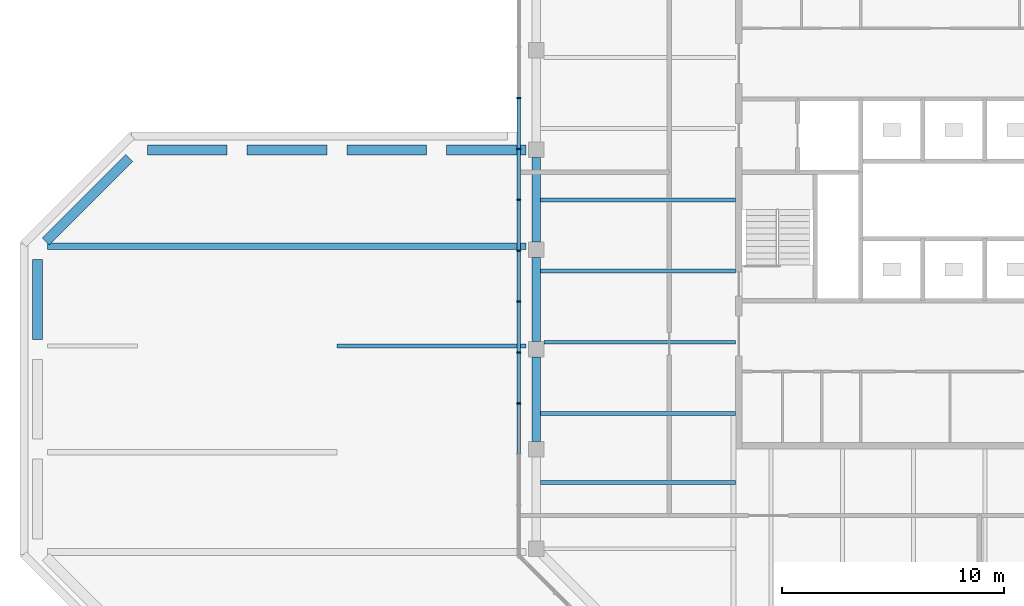
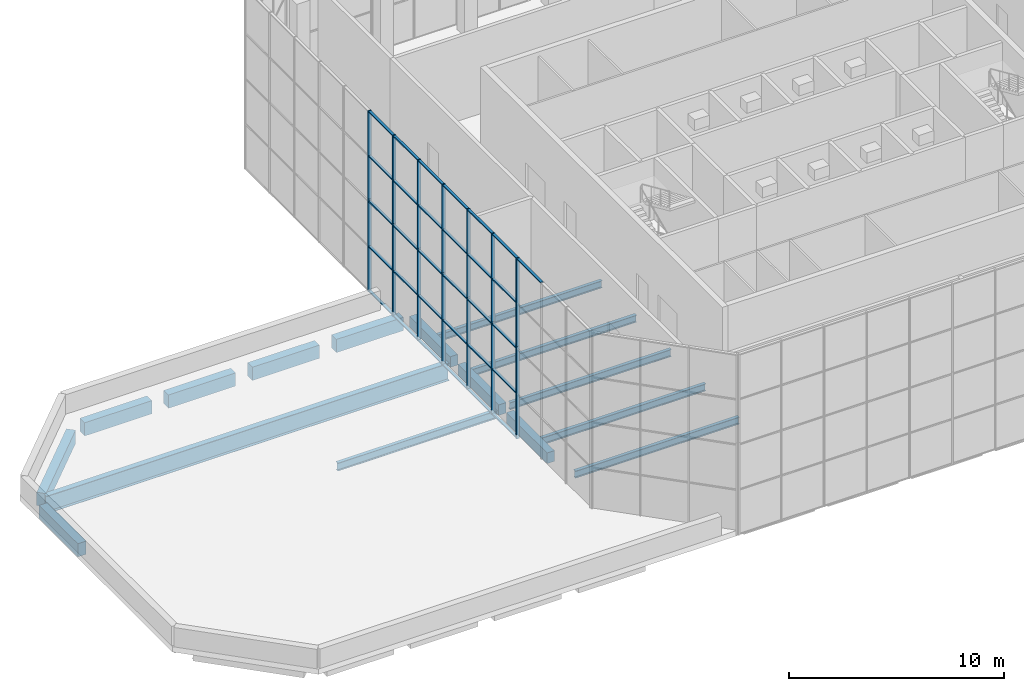
# One storey, part 3 of 19: 45 members, 16 beams, 1 element without a shape of its own.
"""IFC4 building model written with IfcOpenShell, lengths in metres."""

from ifc_helpers import new_model, si_unit, direction, frame, origin, origin_2d, place, context, subcontext, project, spatial, rectangle, i_section, extrude, material, constituent, constituent_set, material_profile, profile_set, type_object, element, aggregate, save


model = new_model("IFC4")

# Units and contexts
model_context = context("Model", 3, precision=1e-05, world=origin(), true_north=direction((0.0, 1.0)))
body_context = subcontext(model_context, "Body", "Model", "MODEL_VIEW")
ifc_project = project(units=[si_unit("LENGTHUNIT", "METRE"), si_unit("AREAUNIT", "SQUARE_METRE"), si_unit("VOLUMEUNIT", "CUBIC_METRE"), si_unit("PLANEANGLEUNIT", "RADIAN"), si_unit("MASSUNIT", "GRAM", prefix="KILO")], contexts=[model_context])

# Site, building, storey
site_placement = place(None, origin())
site = spatial("IfcSite", under=ifc_project, at=site_placement, CompositionType="ELEMENT")
building_placement = place(site_placement, origin())
building = spatial("IfcBuilding", under=site, at=building_placement, Name="Quoin Convention Tower", CompositionType="ELEMENT")
storey_placement = place(building_placement, frame((0.0, 0.0, 263.699951171875)))
storey = spatial("IfcBuildingStorey", under=building, at=storey_placement, Name="L69", CompositionType="ELEMENT", Elevation=263.699951171875)

# Beams
ifc_material_1 = material(Name="Steel Grade 300", Category="steel")
ifc_material_profile_1 = material_profile(ifc_material_1, i_section(OverallWidth=0.300048828125, OverallDepth=1.0, WebThickness=0.01611328125, FlangeThickness=0.02001953125, at=origin_2d()), Name="1000WB215")
ifc_profile_set_1 = profile_set([ifc_material_profile_1], Name="Steel Grade 300")
beam_type_1 = type_object("IfcBeamType", Name="1000WB215", PredefinedType="BEAM", material=ifc_profile_set_1)
beam_1_placement = place(storey_placement, frame((13.949951171875, 58.64990234375, -0.800048828125), z_axis=(1.0, 0.0, 0.0), x_axis=(0.0, 1.0, 0.0)))
element("IfcBeam", 1, at=beam_1_placement, inside=storey, type_object=beam_type_1, Name="gir-L69-RT2-4-0", PredefinedType="BEAM", context=body_context, shape_type="SweptSolid", body=[
    extrude(i_section(OverallWidth=0.300048828125, OverallDepth=1.0, WebThickness=0.01611328125, FlangeThickness=0.02001953125, at=origin_2d()), origin(), (0.0, 0.0, 1.0), 21.60009765625),
])
ifc_material_profile_2 = material_profile(ifc_material_1, i_section(OverallWidth=0.177978515625, OverallDepth=0.403076171875, WebThickness=0.007568359375, FlangeThickness=0.010986328125, FilletRadius=0.011474609375, at=origin_2d()), Name="410UB53.7")
ifc_profile_set_2 = profile_set([ifc_material_profile_2], Name="Steel Grade 300")
beam_type_2 = type_object("IfcBeamType", Name="410UB53.7", PredefinedType="BEAM", material=ifc_profile_set_2)
beam_2_placement = place(storey_placement, frame((36.199951171875, 51.107177734375, -0.451416015625), z_axis=(1.0, 0.0, 0.0), x_axis=(0.0, 1.0, 0.0)))
element("IfcBeam", 2, at=beam_2_placement, inside=storey, type_object=beam_type_2, Name="bm-L69-T1W0", PredefinedType="BEAM", context=body_context, shape_type="SweptSolid", body=[
    extrude(i_section(OverallWidth=0.177978515625, OverallDepth=0.403076171875, WebThickness=0.007568359375, FlangeThickness=0.010986328125, FilletRadius=0.011474609375, at=origin_2d()), origin(), (0.0, 0.0, 1.0), 8.800048828125),
])
beam_3_placement = place(storey_placement, frame((36.35009765625, 54.3212890625, -0.451416015625), z_axis=(1.0, 0.0, 0.0), x_axis=(0.0, 1.0, 0.0)))
element("IfcBeam", 3, at=beam_3_placement, inside=storey, type_object=beam_type_2, Name="bm-L69-T1W1", PredefinedType="BEAM", context=body_context, shape_type="SweptSolid", body=[
    extrude(i_section(OverallWidth=0.177978515625, OverallDepth=0.403076171875, WebThickness=0.007568359375, FlangeThickness=0.010986328125, FilletRadius=0.011474609375, at=origin_2d()), origin(), (0.0, 0.0, 1.0), 8.64990234375),
])
for number, where, z_axis, x_axis, name in (
    (4, (36.199951171875, 57.53564453125, -0.451416015625), (1.0, 0.0, 0.0), (0.0, 1.0, 0.0), "bm-L69-T1W2"),
    (5, (36.199951171875, 60.75, -0.451416015625), (1.0, 0.0, 0.0), (0.0, 1.0, 0.0), "bm-L69-T1W3"),
    (6, (36.199951171875, 48.0, -0.451416015625), (1.0, 0.0, 0.0), (0.0, 1.0, 0.0), "bm-L69-T1SW2"),
):
    element("IfcBeam", number, at=place(storey_placement, frame(where, z_axis=z_axis, x_axis=x_axis)), inside=storey, type_object=beam_type_2, Name=name, PredefinedType="BEAM", context=body_context, shape_type="SweptSolid", body=[
        extrude(i_section(OverallWidth=0.177978515625, OverallDepth=0.403076171875, WebThickness=0.007568359375, FlangeThickness=0.010986328125, FilletRadius=0.011474609375, at=origin_2d()), origin(), (0.0, 0.0, 1.0), 8.800048828125),
    ])
ifc_material_profile_3 = material_profile(ifc_material_1, i_section(OverallWidth=0.18994140625, OverallDepth=0.4541015625, WebThickness=0.008544921875, FlangeThickness=0.0126953125, FilletRadius=0.011474609375, at=origin_2d()), Name="460UB67.1")
ifc_profile_set_3 = profile_set([ifc_material_profile_3], Name="Steel Grade 300")
beam_type_3 = type_object("IfcBeamType", Name="460UB67.1", PredefinedType="BEAM", material=ifc_profile_set_3)
beam_4_placement = place(storey_placement, frame((27.0, 54.14990234375, -0.52685546875), z_axis=(1.0, 0.0, 0.0), x_axis=(0.0, 1.0, 0.0)))
element("IfcBeam", 7, at=beam_4_placement, inside=storey, type_object=beam_type_3, Name="gir-L69-RT2-3-1", PredefinedType="BEAM", context=body_context, shape_type="SweptSolid", body=[
    extrude(i_section(OverallWidth=0.18994140625, OverallDepth=0.4541015625, WebThickness=0.008544921875, FlangeThickness=0.0126953125, FilletRadius=0.011474609375, at=origin_2d()), origin(), (0.0, 0.0, 1.0), 8.550048828125),
])

# Curtain wall, members
ifc_material_2 = material(Name="Aluminium", Category="aluminium")
ifc_constituent_1 = constituent(ifc_material_2, Name="Frame")
ifc_material_3 = material(Name="Insulated glass", Category="glass")
ifc_constituent_2 = constituent(ifc_material_3, Name="Glazing")
ifc_constituent_set = constituent_set(constituents=[ifc_constituent_1, ifc_constituent_2], Name="Aluminium")
curtain_wall_type = type_object("IfcCurtainWallType", Name="Lantern wall system", PredefinedType="NOTDEFINED", material=ifc_constituent_set)
curtain_wall_placement = place(storey_placement, origin())
curtain_wall = element("IfcCurtainWall", 8, at=curtain_wall_placement, inside=storey, type_object=curtain_wall_type, Name="crn-LNW-36000_76500", PredefinedType="NOTDEFINED")
ifc_material_profile_4 = material_profile(ifc_material_2, rectangle(XDim=0.179931640625, YDim=0.06005859375, at=origin_2d()), Name="Lantern wall mullion 60x180")
ifc_profile_set_4 = profile_set([ifc_material_profile_4], Name="Aluminium")
member_type_1 = type_object("IfcMemberType", Name="Lantern wall mullion 60x180", PredefinedType="MULLION", material=ifc_profile_set_4)
member_1_placement = place(storey_placement, frame((35.2099609375, 65.343505859375, -0.25), z_axis=(0.0, 0.0, 1.0), x_axis=(1.0, 0.0, 0.0)))
member_1 = element("IfcMember", 9, at=member_1_placement, type_object=member_type_1, Name="CW5 mullion 6", PredefinedType="MULLION", context=body_context, shape_type="SweptSolid", body=[
    extrude(rectangle(XDim=0.179931640625, YDim=0.06005859375, at=origin_2d()), origin(), (0.0, 0.0, 1.0), 5.25),
])
member_2_placement = place(storey_placement, frame((35.2099609375, 63.046630859375, -0.25), z_axis=(0.0, 0.0, 1.0), x_axis=(1.0, 0.0, 0.0)))
member_2 = element("IfcMember", 10, at=member_2_placement, type_object=member_type_1, Name="CW5 mullion 7", PredefinedType="MULLION", context=body_context, shape_type="SweptSolid", body=[
    extrude(rectangle(XDim=0.179931640625, YDim=0.06005859375, at=origin_2d()), origin(), (0.0, 0.0, 1.0), 5.25),
])
member_3_placement = place(storey_placement, frame((35.2099609375, 60.75, -0.25), z_axis=(0.0, 0.0, 1.0), x_axis=(1.0, 0.0, 0.0)))
member_3 = element("IfcMember", 11, at=member_3_placement, type_object=member_type_1, Name="CW5 mullion 8", PredefinedType="MULLION", context=body_context, shape_type="SweptSolid", body=[
    extrude(rectangle(XDim=0.179931640625, YDim=0.06005859375, at=origin_2d()), origin(), (0.0, 0.0, 1.0), 5.25),
])
member_4_placement = place(storey_placement, frame((35.2099609375, 58.453369140625, -0.25), z_axis=(0.0, 0.0, 1.0), x_axis=(1.0, 0.0, 0.0)))
member_4 = element("IfcMember", 12, at=member_4_placement, type_object=member_type_1, Name="CW5 mullion 9", PredefinedType="MULLION", context=body_context, shape_type="SweptSolid", body=[
    extrude(rectangle(XDim=0.179931640625, YDim=0.06005859375, at=origin_2d()), origin(), (0.0, 0.0, 1.0), 5.25),
])
member_5_placement = place(storey_placement, frame((35.2099609375, 56.156494140625, -0.25), z_axis=(0.0, 0.0, 1.0), x_axis=(1.0, 0.0, 0.0)))
member_5 = element("IfcMember", 13, at=member_5_placement, type_object=member_type_1, Name="CW5 mullion 10", PredefinedType="MULLION", context=body_context, shape_type="SweptSolid", body=[
    extrude(rectangle(XDim=0.179931640625, YDim=0.06005859375, at=origin_2d()), origin(), (0.0, 0.0, 1.0), 5.25),
])
member_6_placement = place(storey_placement, frame((35.2099609375, 53.85986328125, -0.25), z_axis=(0.0, 0.0, 1.0), x_axis=(1.0, 0.0, 0.0)))
member_6 = element("IfcMember", 14, at=member_6_placement, type_object=member_type_1, Name="CW5 mullion 11", PredefinedType="MULLION", context=body_context, shape_type="SweptSolid", body=[
    extrude(rectangle(XDim=0.179931640625, YDim=0.06005859375, at=origin_2d()), origin(), (0.0, 0.0, 1.0), 5.25),
])
member_7_placement = place(storey_placement, frame((35.2099609375, 51.56298828125, -0.25), z_axis=(0.0, 0.0, 1.0), x_axis=(1.0, 0.0, 0.0)))
member_7 = element("IfcMember", 15, at=member_7_placement, type_object=member_type_1, Name="CW5 mullion 12", PredefinedType="MULLION", context=body_context, shape_type="SweptSolid", body=[
    extrude(rectangle(XDim=0.179931640625, YDim=0.06005859375, at=origin_2d()), origin(), (0.0, 0.0, 1.0), 5.25),
])
member_8_placement = place(storey_placement, frame((35.2099609375, 65.343505859375, 5.0), z_axis=(0.0, 0.0, 1.0), x_axis=(1.0, 0.0, 0.0)))
member_8 = element("IfcMember", 16, at=member_8_placement, type_object=member_type_1, Name="CW5 mullion 6", PredefinedType="MULLION", context=body_context, shape_type="SweptSolid", body=[
    extrude(rectangle(XDim=0.179931640625, YDim=0.06005859375, at=origin_2d()), origin(), (0.0, 0.0, 1.0), 5.0),
])
member_9_placement = place(storey_placement, frame((35.2099609375, 63.046630859375, 5.0), z_axis=(0.0, 0.0, 1.0), x_axis=(1.0, 0.0, 0.0)))
member_9 = element("IfcMember", 17, at=member_9_placement, type_object=member_type_1, Name="CW5 mullion 7", PredefinedType="MULLION", context=body_context, shape_type="SweptSolid", body=[
    extrude(rectangle(XDim=0.179931640625, YDim=0.06005859375, at=origin_2d()), origin(), (0.0, 0.0, 1.0), 5.0),
])
member_10_placement = place(storey_placement, frame((35.2099609375, 60.75, 5.0), z_axis=(0.0, 0.0, 1.0), x_axis=(1.0, 0.0, 0.0)))
member_10 = element("IfcMember", 18, at=member_10_placement, type_object=member_type_1, Name="CW5 mullion 8", PredefinedType="MULLION", context=body_context, shape_type="SweptSolid", body=[
    extrude(rectangle(XDim=0.179931640625, YDim=0.06005859375, at=origin_2d()), origin(), (0.0, 0.0, 1.0), 5.0),
])
member_11_placement = place(storey_placement, frame((35.2099609375, 58.453369140625, 5.0), z_axis=(0.0, 0.0, 1.0), x_axis=(1.0, 0.0, 0.0)))
member_11 = element("IfcMember", 19, at=member_11_placement, type_object=member_type_1, Name="CW5 mullion 9", PredefinedType="MULLION", context=body_context, shape_type="SweptSolid", body=[
    extrude(rectangle(XDim=0.179931640625, YDim=0.06005859375, at=origin_2d()), origin(), (0.0, 0.0, 1.0), 5.0),
])
member_12_placement = place(storey_placement, frame((35.2099609375, 56.156494140625, 5.0), z_axis=(0.0, 0.0, 1.0), x_axis=(1.0, 0.0, 0.0)))
member_12 = element("IfcMember", 20, at=member_12_placement, type_object=member_type_1, Name="CW5 mullion 10", PredefinedType="MULLION", context=body_context, shape_type="SweptSolid", body=[
    extrude(rectangle(XDim=0.179931640625, YDim=0.06005859375, at=origin_2d()), origin(), (0.0, 0.0, 1.0), 5.0),
])
member_13_placement = place(storey_placement, frame((35.2099609375, 53.85986328125, 5.0), z_axis=(0.0, 0.0, 1.0), x_axis=(1.0, 0.0, 0.0)))
member_13 = element("IfcMember", 21, at=member_13_placement, type_object=member_type_1, Name="CW5 mullion 11", PredefinedType="MULLION", context=body_context, shape_type="SweptSolid", body=[
    extrude(rectangle(XDim=0.179931640625, YDim=0.06005859375, at=origin_2d()), origin(), (0.0, 0.0, 1.0), 5.0),
])
member_14_placement = place(storey_placement, frame((35.2099609375, 51.56298828125, 5.0), z_axis=(0.0, 0.0, 1.0), x_axis=(1.0, 0.0, 0.0)))
member_14 = element("IfcMember", 22, at=member_14_placement, type_object=member_type_1, Name="CW5 mullion 12", PredefinedType="MULLION", context=body_context, shape_type="SweptSolid", body=[
    extrude(rectangle(XDim=0.179931640625, YDim=0.06005859375, at=origin_2d()), origin(), (0.0, 0.0, 1.0), 5.0),
])
ifc_material_profile_5 = material_profile(ifc_material_2, rectangle(XDim=0.139892578125, YDim=0.06005859375, at=origin_2d()), Name="Lantern wall transom 60x140")
ifc_profile_set_5 = profile_set([ifc_material_profile_5], Name="Aluminium")
member_type_2 = type_object("IfcMemberType", Name="Lantern wall transom 60x140", PredefinedType="USERDEFINED", material=ifc_profile_set_5)
member_15_placement = place(storey_placement, frame((35.2099609375, 65.3134765625, -0.219970703125), z_axis=(0.0, -1.0, 0.0), x_axis=(1.0, 0.0, 0.0)))
member_15 = element("IfcMember", 23, at=member_15_placement, type_object=member_type_2, Name="CW5 transom 6.1", ObjectType="TRANSOM", PredefinedType="USERDEFINED", context=body_context, shape_type="SweptSolid", body=[
    extrude(rectangle(XDim=0.139892578125, YDim=0.06005859375, at=origin_2d()), origin(), (0.0, 0.0, 1.0), 2.23681640625),
])
member_16_placement = place(storey_placement, frame((35.2099609375, 65.3134765625, 2.3125), z_axis=(0.0, -1.0, 0.0), x_axis=(1.0, 0.0, 0.0)))
member_16 = element("IfcMember", 24, at=member_16_placement, type_object=member_type_2, Name="CW5 transom 6.2", ObjectType="TRANSOM", PredefinedType="USERDEFINED", context=body_context, shape_type="SweptSolid", body=[
    extrude(rectangle(XDim=0.139892578125, YDim=0.06005859375, at=origin_2d()), origin(), (0.0, 0.0, 1.0), 2.23681640625),
])
member_17_placement = place(storey_placement, frame((35.2099609375, 65.3134765625, 4.875), z_axis=(0.0, -1.0, 0.0), x_axis=(1.0, 0.0, 0.0)))
member_17 = element("IfcMember", 25, at=member_17_placement, type_object=member_type_2, Name="CW5 transom 6.3", ObjectType="TRANSOM", PredefinedType="USERDEFINED", context=body_context, shape_type="SweptSolid", body=[
    extrude(rectangle(XDim=0.139892578125, YDim=0.06005859375, at=origin_2d()), origin(), (0.0, 0.0, 1.0), 2.23681640625),
])
member_18_placement = place(storey_placement, frame((35.2099609375, 65.3134765625, 7.4375), z_axis=(0.0, -1.0, 0.0), x_axis=(1.0, 0.0, 0.0)))
member_18 = element("IfcMember", 26, at=member_18_placement, type_object=member_type_2, Name="CW5 transom 6.4", ObjectType="TRANSOM", PredefinedType="USERDEFINED", context=body_context, shape_type="SweptSolid", body=[
    extrude(rectangle(XDim=0.139892578125, YDim=0.06005859375, at=origin_2d()), origin(), (0.0, 0.0, 1.0), 2.23681640625),
])
member_19_placement = place(storey_placement, frame((35.2099609375, 65.3134765625, 9.969970703125), z_axis=(0.0, -1.0, 0.0), x_axis=(1.0, 0.0, 0.0)))
member_19 = element("IfcMember", 27, at=member_19_placement, type_object=member_type_2, Name="CW5 transom 6.5", ObjectType="TRANSOM", PredefinedType="USERDEFINED", context=body_context, shape_type="SweptSolid", body=[
    extrude(rectangle(XDim=0.139892578125, YDim=0.06005859375, at=origin_2d()), origin(), (0.0, 0.0, 1.0), 2.23681640625),
])
member_20_placement = place(storey_placement, frame((35.2099609375, 63.016845703125, -0.219970703125), z_axis=(0.0, -1.0, 0.0), x_axis=(1.0, 0.0, 0.0)))
member_20 = element("IfcMember", 28, at=member_20_placement, type_object=member_type_2, Name="CW5 transom 7.1", ObjectType="TRANSOM", PredefinedType="USERDEFINED", context=body_context, shape_type="SweptSolid", body=[
    extrude(rectangle(XDim=0.139892578125, YDim=0.06005859375, at=origin_2d()), origin(), (0.0, 0.0, 1.0), 2.23681640625),
])
member_21_placement = place(storey_placement, frame((35.2099609375, 63.016845703125, 2.3125), z_axis=(0.0, -1.0, 0.0), x_axis=(1.0, 0.0, 0.0)))
member_21 = element("IfcMember", 29, at=member_21_placement, type_object=member_type_2, Name="CW5 transom 7.2", ObjectType="TRANSOM", PredefinedType="USERDEFINED", context=body_context, shape_type="SweptSolid", body=[
    extrude(rectangle(XDim=0.139892578125, YDim=0.06005859375, at=origin_2d()), origin(), (0.0, 0.0, 1.0), 2.23681640625),
])
member_22_placement = place(storey_placement, frame((35.2099609375, 63.016845703125, 4.875), z_axis=(0.0, -1.0, 0.0), x_axis=(1.0, 0.0, 0.0)))
member_22 = element("IfcMember", 30, at=member_22_placement, type_object=member_type_2, Name="CW5 transom 7.3", ObjectType="TRANSOM", PredefinedType="USERDEFINED", context=body_context, shape_type="SweptSolid", body=[
    extrude(rectangle(XDim=0.139892578125, YDim=0.06005859375, at=origin_2d()), origin(), (0.0, 0.0, 1.0), 2.23681640625),
])
member_23_placement = place(storey_placement, frame((35.2099609375, 63.016845703125, 7.4375), z_axis=(0.0, -1.0, 0.0), x_axis=(1.0, 0.0, 0.0)))
member_23 = element("IfcMember", 31, at=member_23_placement, type_object=member_type_2, Name="CW5 transom 7.4", ObjectType="TRANSOM", PredefinedType="USERDEFINED", context=body_context, shape_type="SweptSolid", body=[
    extrude(rectangle(XDim=0.139892578125, YDim=0.06005859375, at=origin_2d()), origin(), (0.0, 0.0, 1.0), 2.23681640625),
])
member_24_placement = place(storey_placement, frame((35.2099609375, 63.016845703125, 9.969970703125), z_axis=(0.0, -1.0, 0.0), x_axis=(1.0, 0.0, 0.0)))
member_24 = element("IfcMember", 32, at=member_24_placement, type_object=member_type_2, Name="CW5 transom 7.5", ObjectType="TRANSOM", PredefinedType="USERDEFINED", context=body_context, shape_type="SweptSolid", body=[
    extrude(rectangle(XDim=0.139892578125, YDim=0.06005859375, at=origin_2d()), origin(), (0.0, 0.0, 1.0), 2.23681640625),
])
member_25_placement = place(storey_placement, frame((35.2099609375, 60.719970703125, -0.219970703125), z_axis=(0.0, -1.0, 0.0), x_axis=(1.0, 0.0, 0.0)))
member_25 = element("IfcMember", 33, at=member_25_placement, type_object=member_type_2, Name="CW5 transom 8.1", ObjectType="TRANSOM", PredefinedType="USERDEFINED", context=body_context, shape_type="SweptSolid", body=[
    extrude(rectangle(XDim=0.139892578125, YDim=0.06005859375, at=origin_2d()), origin(), (0.0, 0.0, 1.0), 2.23681640625),
])
member_26_placement = place(storey_placement, frame((35.2099609375, 60.719970703125, 2.3125), z_axis=(0.0, -1.0, 0.0), x_axis=(1.0, 0.0, 0.0)))
member_26 = element("IfcMember", 34, at=member_26_placement, type_object=member_type_2, Name="CW5 transom 8.2", ObjectType="TRANSOM", PredefinedType="USERDEFINED", context=body_context, shape_type="SweptSolid", body=[
    extrude(rectangle(XDim=0.139892578125, YDim=0.06005859375, at=origin_2d()), origin(), (0.0, 0.0, 1.0), 2.23681640625),
])
member_27_placement = place(storey_placement, frame((35.2099609375, 60.719970703125, 4.875), z_axis=(0.0, -1.0, 0.0), x_axis=(1.0, 0.0, 0.0)))
member_27 = element("IfcMember", 35, at=member_27_placement, type_object=member_type_2, Name="CW5 transom 8.3", ObjectType="TRANSOM", PredefinedType="USERDEFINED", context=body_context, shape_type="SweptSolid", body=[
    extrude(rectangle(XDim=0.139892578125, YDim=0.06005859375, at=origin_2d()), origin(), (0.0, 0.0, 1.0), 2.23681640625),
])
member_28_placement = place(storey_placement, frame((35.2099609375, 60.719970703125, 7.4375), z_axis=(0.0, -1.0, 0.0), x_axis=(1.0, 0.0, 0.0)))
member_28 = element("IfcMember", 36, at=member_28_placement, type_object=member_type_2, Name="CW5 transom 8.4", ObjectType="TRANSOM", PredefinedType="USERDEFINED", context=body_context, shape_type="SweptSolid", body=[
    extrude(rectangle(XDim=0.139892578125, YDim=0.06005859375, at=origin_2d()), origin(), (0.0, 0.0, 1.0), 2.23681640625),
])
member_29_placement = place(storey_placement, frame((35.2099609375, 60.719970703125, 9.969970703125), z_axis=(0.0, -1.0, 0.0), x_axis=(1.0, 0.0, 0.0)))
member_29 = element("IfcMember", 37, at=member_29_placement, type_object=member_type_2, Name="CW5 transom 8.5", ObjectType="TRANSOM", PredefinedType="USERDEFINED", context=body_context, shape_type="SweptSolid", body=[
    extrude(rectangle(XDim=0.139892578125, YDim=0.06005859375, at=origin_2d()), origin(), (0.0, 0.0, 1.0), 2.23681640625),
])
member_30_placement = place(storey_placement, frame((35.2099609375, 58.42333984375, -0.219970703125), z_axis=(0.0, -1.0, 0.0), x_axis=(1.0, 0.0, 0.0)))
member_30 = element("IfcMember", 38, at=member_30_placement, type_object=member_type_2, Name="CW5 transom 9.1", ObjectType="TRANSOM", PredefinedType="USERDEFINED", context=body_context, shape_type="SweptSolid", body=[
    extrude(rectangle(XDim=0.139892578125, YDim=0.06005859375, at=origin_2d()), origin(), (0.0, 0.0, 1.0), 2.23681640625),
])
member_31_placement = place(storey_placement, frame((35.2099609375, 58.42333984375, 2.3125), z_axis=(0.0, -1.0, 0.0), x_axis=(1.0, 0.0, 0.0)))
member_31 = element("IfcMember", 39, at=member_31_placement, type_object=member_type_2, Name="CW5 transom 9.2", ObjectType="TRANSOM", PredefinedType="USERDEFINED", context=body_context, shape_type="SweptSolid", body=[
    extrude(rectangle(XDim=0.139892578125, YDim=0.06005859375, at=origin_2d()), origin(), (0.0, 0.0, 1.0), 2.23681640625),
])
member_32_placement = place(storey_placement, frame((35.2099609375, 58.42333984375, 4.875), z_axis=(0.0, -1.0, 0.0), x_axis=(1.0, 0.0, 0.0)))
member_32 = element("IfcMember", 40, at=member_32_placement, type_object=member_type_2, Name="CW5 transom 9.3", ObjectType="TRANSOM", PredefinedType="USERDEFINED", context=body_context, shape_type="SweptSolid", body=[
    extrude(rectangle(XDim=0.139892578125, YDim=0.06005859375, at=origin_2d()), origin(), (0.0, 0.0, 1.0), 2.23681640625),
])
member_33_placement = place(storey_placement, frame((35.2099609375, 58.42333984375, 7.4375), z_axis=(0.0, -1.0, 0.0), x_axis=(1.0, 0.0, 0.0)))
member_33 = element("IfcMember", 41, at=member_33_placement, type_object=member_type_2, Name="CW5 transom 9.4", ObjectType="TRANSOM", PredefinedType="USERDEFINED", context=body_context, shape_type="SweptSolid", body=[
    extrude(rectangle(XDim=0.139892578125, YDim=0.06005859375, at=origin_2d()), origin(), (0.0, 0.0, 1.0), 2.23681640625),
])
member_34_placement = place(storey_placement, frame((35.2099609375, 58.42333984375, 9.969970703125), z_axis=(0.0, -1.0, 0.0), x_axis=(1.0, 0.0, 0.0)))
member_34 = element("IfcMember", 42, at=member_34_placement, type_object=member_type_2, Name="CW5 transom 9.5", ObjectType="TRANSOM", PredefinedType="USERDEFINED", context=body_context, shape_type="SweptSolid", body=[
    extrude(rectangle(XDim=0.139892578125, YDim=0.06005859375, at=origin_2d()), origin(), (0.0, 0.0, 1.0), 2.23681640625),
])
member_35_placement = place(storey_placement, frame((35.2099609375, 56.12646484375, -0.219970703125), z_axis=(0.0, -1.0, 0.0), x_axis=(1.0, 0.0, 0.0)))
member_35 = element("IfcMember", 43, at=member_35_placement, type_object=member_type_2, Name="CW5 transom 10.1", ObjectType="TRANSOM", PredefinedType="USERDEFINED", context=body_context, shape_type="SweptSolid", body=[
    extrude(rectangle(XDim=0.139892578125, YDim=0.06005859375, at=origin_2d()), origin(), (0.0, 0.0, 1.0), 2.236572265625),
])
member_36_placement = place(storey_placement, frame((35.2099609375, 56.12646484375, 2.3125), z_axis=(0.0, -1.0, 0.0), x_axis=(1.0, 0.0, 0.0)))
member_36 = element("IfcMember", 44, at=member_36_placement, type_object=member_type_2, Name="CW5 transom 10.2", ObjectType="TRANSOM", PredefinedType="USERDEFINED", context=body_context, shape_type="SweptSolid", body=[
    extrude(rectangle(XDim=0.139892578125, YDim=0.06005859375, at=origin_2d()), origin(), (0.0, 0.0, 1.0), 2.236572265625),
])
member_37_placement = place(storey_placement, frame((35.2099609375, 56.12646484375, 4.875), z_axis=(0.0, -1.0, 0.0), x_axis=(1.0, 0.0, 0.0)))
member_37 = element("IfcMember", 45, at=member_37_placement, type_object=member_type_2, Name="CW5 transom 10.3", ObjectType="TRANSOM", PredefinedType="USERDEFINED", context=body_context, shape_type="SweptSolid", body=[
    extrude(rectangle(XDim=0.139892578125, YDim=0.06005859375, at=origin_2d()), origin(), (0.0, 0.0, 1.0), 2.236572265625),
])
member_38_placement = place(storey_placement, frame((35.2099609375, 56.12646484375, 7.4375), z_axis=(0.0, -1.0, 0.0), x_axis=(1.0, 0.0, 0.0)))
member_38 = element("IfcMember", 46, at=member_38_placement, type_object=member_type_2, Name="CW5 transom 10.4", ObjectType="TRANSOM", PredefinedType="USERDEFINED", context=body_context, shape_type="SweptSolid", body=[
    extrude(rectangle(XDim=0.139892578125, YDim=0.06005859375, at=origin_2d()), origin(), (0.0, 0.0, 1.0), 2.236572265625),
])
member_39_placement = place(storey_placement, frame((35.2099609375, 56.12646484375, 9.969970703125), z_axis=(0.0, -1.0, 0.0), x_axis=(1.0, 0.0, 0.0)))
member_39 = element("IfcMember", 47, at=member_39_placement, type_object=member_type_2, Name="CW5 transom 10.5", ObjectType="TRANSOM", PredefinedType="USERDEFINED", context=body_context, shape_type="SweptSolid", body=[
    extrude(rectangle(XDim=0.139892578125, YDim=0.06005859375, at=origin_2d()), origin(), (0.0, 0.0, 1.0), 2.236572265625),
])
member_40_placement = place(storey_placement, frame((35.2099609375, 53.829833984375, -0.219970703125), z_axis=(0.0, -1.0, 0.0), x_axis=(1.0, 0.0, 0.0)))
member_40 = element("IfcMember", 48, at=member_40_placement, type_object=member_type_2, Name="CW5 transom 11.1", ObjectType="TRANSOM", PredefinedType="USERDEFINED", context=body_context, shape_type="SweptSolid", body=[
    extrude(rectangle(XDim=0.139892578125, YDim=0.06005859375, at=origin_2d()), origin(), (0.0, 0.0, 1.0), 2.23681640625),
])
member_41_placement = place(storey_placement, frame((35.2099609375, 53.829833984375, 2.3125), z_axis=(0.0, -1.0, 0.0), x_axis=(1.0, 0.0, 0.0)))
member_41 = element("IfcMember", 49, at=member_41_placement, type_object=member_type_2, Name="CW5 transom 11.2", ObjectType="TRANSOM", PredefinedType="USERDEFINED", context=body_context, shape_type="SweptSolid", body=[
    extrude(rectangle(XDim=0.139892578125, YDim=0.06005859375, at=origin_2d()), origin(), (0.0, 0.0, 1.0), 2.23681640625),
])
member_42_placement = place(storey_placement, frame((35.2099609375, 53.829833984375, 4.875), z_axis=(0.0, -1.0, 0.0), x_axis=(1.0, 0.0, 0.0)))
member_42 = element("IfcMember", 50, at=member_42_placement, type_object=member_type_2, Name="CW5 transom 11.3", ObjectType="TRANSOM", PredefinedType="USERDEFINED", context=body_context, shape_type="SweptSolid", body=[
    extrude(rectangle(XDim=0.139892578125, YDim=0.06005859375, at=origin_2d()), origin(), (0.0, 0.0, 1.0), 2.23681640625),
])
member_43_placement = place(storey_placement, frame((35.2099609375, 53.829833984375, 7.4375), z_axis=(0.0, -1.0, 0.0), x_axis=(1.0, 0.0, 0.0)))
member_43 = element("IfcMember", 51, at=member_43_placement, type_object=member_type_2, Name="CW5 transom 11.4", ObjectType="TRANSOM", PredefinedType="USERDEFINED", context=body_context, shape_type="SweptSolid", body=[
    extrude(rectangle(XDim=0.139892578125, YDim=0.06005859375, at=origin_2d()), origin(), (0.0, 0.0, 1.0), 2.23681640625),
])
member_44_placement = place(storey_placement, frame((35.2099609375, 53.829833984375, 9.969970703125), z_axis=(0.0, -1.0, 0.0), x_axis=(1.0, 0.0, 0.0)))
member_44 = element("IfcMember", 52, at=member_44_placement, type_object=member_type_2, Name="CW5 transom 11.5", ObjectType="TRANSOM", PredefinedType="USERDEFINED", context=body_context, shape_type="SweptSolid", body=[
    extrude(rectangle(XDim=0.139892578125, YDim=0.06005859375, at=origin_2d()), origin(), (0.0, 0.0, 1.0), 2.23681640625),
])
member_45_placement = place(storey_placement, frame((35.2099609375, 51.532958984375, 9.969970703125), z_axis=(0.0, -1.0, 0.0), x_axis=(1.0, 0.0, 0.0)))
member_45 = element("IfcMember", 53, at=member_45_placement, type_object=member_type_2, Name="CW5 transom 12.5", ObjectType="TRANSOM", PredefinedType="USERDEFINED", context=body_context, shape_type="SweptSolid", body=[
    extrude(rectangle(XDim=0.139892578125, YDim=0.06005859375, at=origin_2d()), origin(), (0.0, 0.0, 1.0), 2.236572265625),
])
aggregate(curtain_wall, [member_1, member_2, member_3, member_4, member_5, member_6, member_7, member_15, member_16, member_17, member_18, member_19, member_20, member_21, member_22, member_23, member_24, member_25, member_26, member_27, member_28, member_29, member_30, member_31, member_32, member_33, member_34, member_35, member_36, member_37, member_38, member_39, member_40, member_41, member_42, member_43, member_44, member_45, member_8, member_9, member_10, member_11, member_12, member_13, member_14])

# Beams
ifc_material_4 = material(Name="Concrete C40", Category="concrete")
ifc_material_profile_6 = material_profile(ifc_material_4, rectangle(XDim=0.39990234375, YDim=0.60009765625, at=origin_2d()), Name="RC 400x600")
ifc_profile_set_6 = profile_set([ifc_material_profile_6], Name="Concrete C40")
beam_type_4 = type_object("IfcBeamType", Name="RC 400x600 C40", PredefinedType="SPANDREL", material=ifc_profile_set_6)
for number, where, z_axis, x_axis, name in (
    (54, (36.0, 62.64990234375, -0.550048828125), (0.0, -1.0, 0.0), (1.0, 0.0, 0.0), "spd-L69-36000_63000-36000_58500"),
    (55, (36.0, 58.14990234375, -0.550048828125), (0.0, -1.0, 0.0), (1.0, 0.0, 0.0), "spd-L69-36000_58500-36000_54000"),
    (56, (36.0, 53.64990234375, -0.550048828125), (0.0, -1.0, 0.0), (1.0, 0.0, 0.0), "spd-L69-36000_54000-36000_49500"),
):
    element("IfcBeam", number, at=place(storey_placement, frame(where, z_axis=z_axis, x_axis=x_axis)), inside=storey, type_object=beam_type_4, Name=name, PredefinedType="SPANDREL", context=body_context, shape_type="SweptSolid", body=[
        extrude(rectangle(XDim=0.39990234375, YDim=0.60009765625, at=origin_2d()), origin(), (0.0, 0.0, 1.0), 3.7998046875),
    ])
ifc_material_5 = material(Name="Concrete C50", Category="concrete")
ifc_material_profile_7 = material_profile(ifc_material_5, rectangle(XDim=0.449951171875, YDim=0.75, at=origin_2d()), Name="RC 450x750")
ifc_profile_set_7 = profile_set([ifc_material_profile_7], Name="Concrete C50")
beam_type_5 = type_object("IfcBeamType", Name="RC 450x750 C50", PredefinedType="SPANDREL", material=ifc_profile_set_7)
for number, where, z_axis, x_axis, name in (
    (57, (35.550048828125, 63.0, -0.675048828125), (-1.0, 0.0, 0.0), (0.0, -1.0, 0.0), "spd-L69-rf-36000_63000-31500_63000"),
    (58, (31.050048828125, 63.0, -0.675048828125), (-1.0, 0.0, 0.0), (0.0, -1.0, 0.0), "spd-L69-rf-31500_63000-27000_63000"),
    (59, (26.550048828125, 63.0, -0.675048828125), (-1.0, 0.0, 0.0), (0.0, -1.0, 0.0), "spd-L69-rf-27000_63000-22500_63000"),
    (60, (22.050048828125, 63.0, -0.675048828125), (-1.0, 0.0, 0.0), (0.0, -1.0, 0.0), "spd-L69-rf-22500_63000-18000_63000"),
):
    element("IfcBeam", number, at=place(storey_placement, frame(where, z_axis=z_axis, x_axis=x_axis)), inside=storey, type_object=beam_type_5, Name=name, PredefinedType="SPANDREL", context=body_context, shape_type="SweptSolid", body=[
        extrude(rectangle(XDim=0.449951171875, YDim=0.75, at=origin_2d()), origin(), (0.0, 0.0, 1.0), 3.60009765625),
    ])
beam_5_placement = place(storey_placement, frame((17.635009765625, 62.635009765625, -0.675048828125), z_axis=(-0.707106781187, -0.707106781187, 0.0), x_axis=(0.707106781187, -0.707106781187, 0.0)))
element("IfcBeam", 61, at=beam_5_placement, inside=storey, type_object=beam_type_5, Name="spd-L69-rf-18000_63000-13500_58500", PredefinedType="SPANDREL", context=body_context, shape_type="SweptSolid", body=[
    extrude(rectangle(XDim=0.449951171875, YDim=0.75, at=origin_2d()), origin(), (0.0, 0.0, 1.0), 5.33154296875),
])
beam_6_placement = place(storey_placement, frame((13.5, 58.050048828125, -0.675048828125), z_axis=(0.0, -1.0, 0.0), x_axis=(1.0, 0.0, 0.0)))
element("IfcBeam", 62, at=beam_6_placement, inside=storey, type_object=beam_type_5, Name="spd-L69-rf-13500_58500-13500_54000", PredefinedType="SPANDREL", context=body_context, shape_type="SweptSolid", body=[
    extrude(rectangle(XDim=0.449951171875, YDim=0.75, at=origin_2d()), origin(), (0.0, 0.0, 1.0), 3.60009765625),
])

save(model, "model.ifc")
